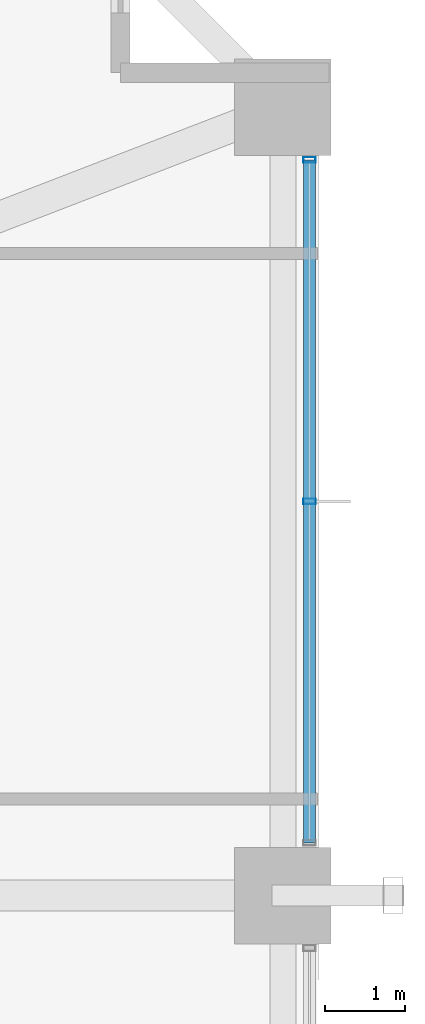
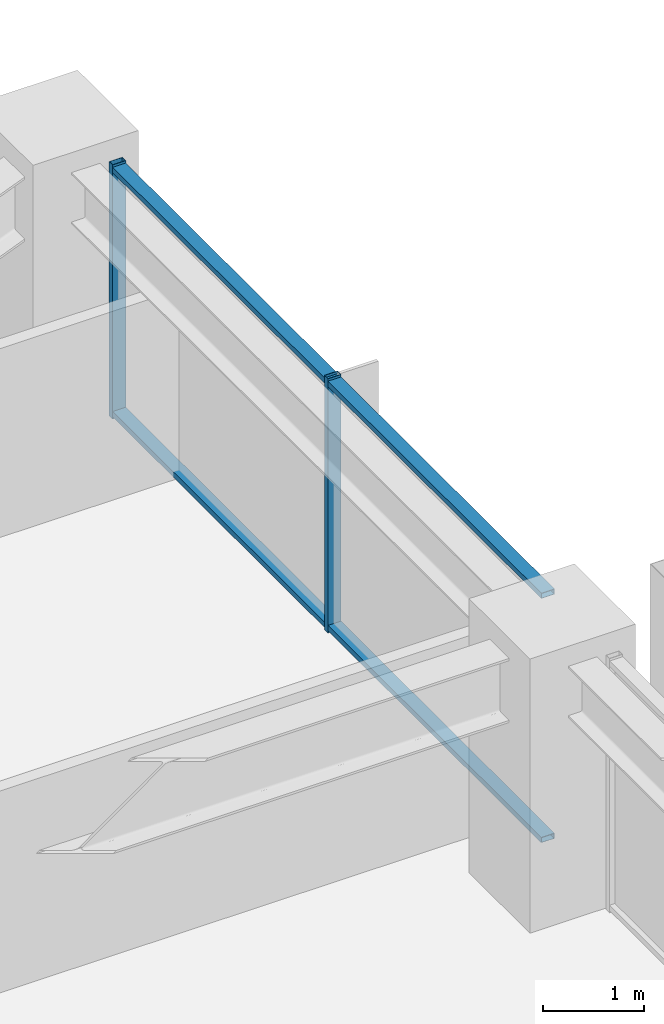
# One storey, part 23 of 38: 4 members, 1 element without a shape of its own.
"""IFC4 building model written with IfcOpenShell, lengths in metres."""

from ifc_helpers import new_model, si_unit, direction, frame, origin, origin_2d, place, context, subcontext, project, spatial, hollow_rectangle, extrude, material, material_profile, profile_set, type_object, element, aggregate, save


model = new_model("IFC4")

# Units and contexts
model_context = context("Model", 3, precision=1e-05, world=origin(), true_north=direction((0.0, 1.0)))
body_context = subcontext(model_context, "Body", "Model", "MODEL_VIEW")
ifc_project = project(units=[si_unit("LENGTHUNIT", "METRE"), si_unit("AREAUNIT", "SQUARE_METRE"), si_unit("VOLUMEUNIT", "CUBIC_METRE"), si_unit("PLANEANGLEUNIT", "RADIAN"), si_unit("MASSUNIT", "GRAM", prefix="KILO")], contexts=[model_context])

# Site, building, storey
site_placement = place(None, origin())
site = spatial("IfcSite", under=ifc_project, at=site_placement, CompositionType="ELEMENT")
building_placement = place(site_placement, origin())
building = spatial("IfcBuilding", under=site, at=building_placement, Name="Kolvaren Belvedere", CompositionType="ELEMENT")
storey_placement = place(building_placement, frame((0.0, 0.0, 50.199951171875)))
storey = spatial("IfcBuildingStorey", under=building, at=storey_placement, Name="L14", CompositionType="ELEMENT", Elevation=50.199951171875)

# Curtain wall, members
ifc_material_1 = material(Name="Anodised pale-metal aluminium AA 6063-T6", Category="aluminium")
curtain_wall_type = type_object("IfcCurtainWallType", Name="CW-Z1-LOW", PredefinedType="NOTDEFINED", material=ifc_material_1)
curtain_wall_placement = place(storey_placement, origin())
curtain_wall = element("IfcCurtainWall", 1, at=curtain_wall_placement, inside=storey, type_object=curtain_wall_type, Name="L14 Unitised Curtain Wall FCW-L14-E-B1", PredefinedType="NOTDEFINED")
ifc_material_2 = material(Name="Anodised pale-metal aluminium AA 6063-T6", Category="aluminium")
ifc_material_profile_1 = material_profile(ifc_material_2, hollow_rectangle(XDim=0.070068359375, YDim=0.14990234375, WallThickness=0.004150390625, at=origin_2d()), Name="ALU-MUL-150X70")
ifc_profile_set_1 = profile_set([ifc_material_profile_1], Name="Anodised pale-metal aluminium AA 6063-T6")
member_type_1 = type_object("IfcMemberType", Name="CW-MUL-150", PredefinedType="MULLION", material=ifc_profile_set_1)
member_1_placement = place(storey_placement, frame((21.8798828125, 13.7451171875, 0.0), z_axis=(0.0, 0.0, 1.0), x_axis=(0.0, 1.0, 0.0)))
member_1 = element("IfcMember", 2, at=member_1_placement, type_object=member_type_1, Name="FCW-L14-E-B1 Unitised Mullion 1", PredefinedType="MULLION", context=body_context, shape_type="SweptSolid", body=[
    extrude(hollow_rectangle(XDim=0.070068359375, YDim=0.14990234375, WallThickness=0.004150390625, at=origin_2d()), origin(), (0.0, 0.0, 1.0), 3.06005859375),
])
member_2_placement = place(storey_placement, frame((21.8798828125, 9.5, 0.0), z_axis=(0.0, 0.0, 1.0), x_axis=(0.0, 1.0, 0.0)))
member_2 = element("IfcMember", 3, at=member_2_placement, type_object=member_type_1, Name="FCW-L14-E-B1 Unitised Mullion 2", PredefinedType="MULLION", context=body_context, shape_type="SweptSolid", body=[
    extrude(hollow_rectangle(XDim=0.070068359375, YDim=0.14990234375, WallThickness=0.004150390625, at=origin_2d()), origin(), (0.0, 0.0, 1.0), 3.06005859375),
])
ifc_material_3 = material(Name="Anodised pale-metal aluminium AA 6063-T6", Category="aluminium")
ifc_material_profile_2 = material_profile(ifc_material_3, hollow_rectangle(XDim=0.06494140625, YDim=0.14990234375, WallThickness=0.00390625, at=origin_2d()), Name="ALU-TRN-150X65")
ifc_profile_set_2 = profile_set([ifc_material_profile_2], Name="Anodised pale-metal aluminium AA 6063-T6")
member_type_2 = type_object("IfcMemberType", Name="CW-TRN-150", PredefinedType="USERDEFINED", material=ifc_profile_set_2)
member_3_placement = place(storey_placement, frame((21.8798828125, 13.7451171875, 0.06005859375), z_axis=(0.0, -1.0, 0.0), x_axis=(0.0, 0.0, 1.0)))
member_3 = element("IfcMember", 4, at=member_3_placement, type_object=member_type_2, Name="FCW-L14-E-B1 Sill Transom", ObjectType="TRANSOM", PredefinedType="USERDEFINED", context=body_context, shape_type="SweptSolid", body=[
    extrude(hollow_rectangle(XDim=0.06494140625, YDim=0.14990234375, WallThickness=0.00390625, at=origin_2d()), origin(), (0.0, 0.0, 1.0), 8.490234375),
])
member_4_placement = place(storey_placement, frame((21.8798828125, 13.7451171875, 3.0), z_axis=(0.0, -1.0, 0.0), x_axis=(0.0, 0.0, 1.0)))
member_4 = element("IfcMember", 5, at=member_4_placement, type_object=member_type_2, Name="FCW-L14-E-B1 Head Transom", ObjectType="TRANSOM", PredefinedType="USERDEFINED", context=body_context, shape_type="SweptSolid", body=[
    extrude(hollow_rectangle(XDim=0.06494140625, YDim=0.14990234375, WallThickness=0.00390625, at=origin_2d()), origin(), (0.0, 0.0, 1.0), 8.490234375),
])
aggregate(curtain_wall, [member_1, member_2, member_3, member_4])

save(model, "model.ifc")
